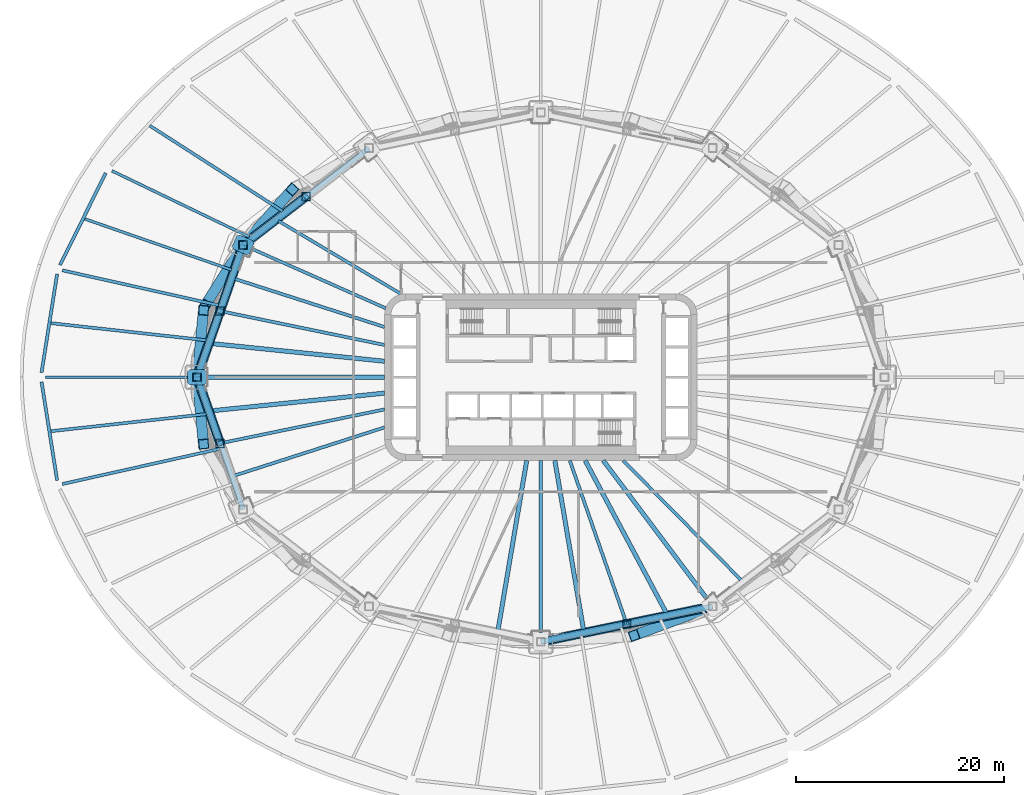
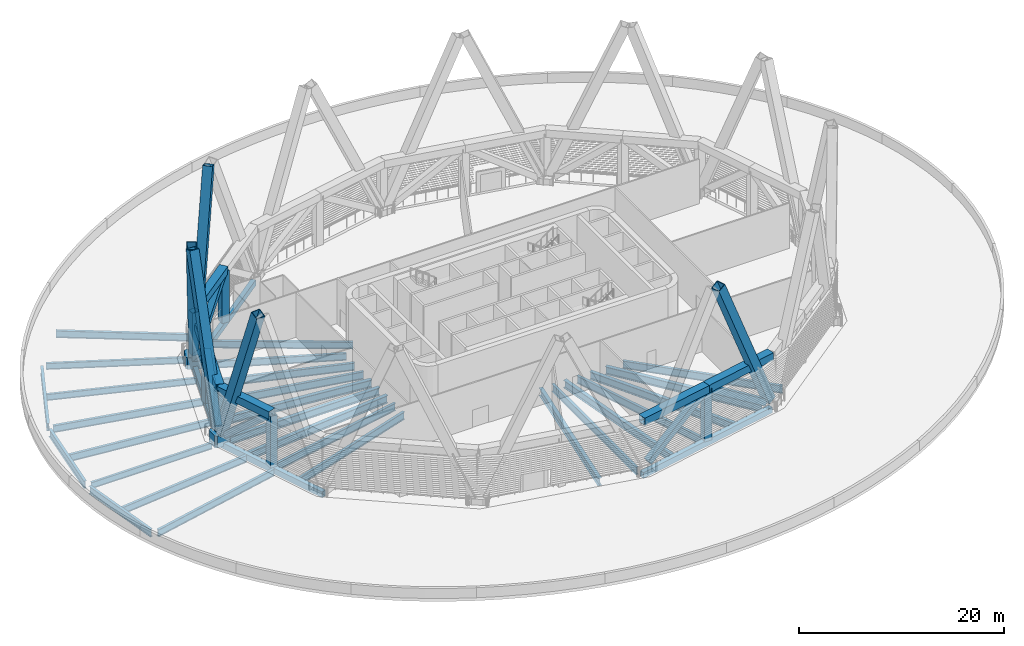
# One storey, part 2 of 27: 31 beams, 25 members.
"""IFC4 building model written with IfcOpenShell, lengths in metres."""

from ifc_helpers import new_model, si_unit, direction, frame, origin, origin_2d, place, context, subcontext, project, spatial, polyline, hollow_rectangle, i_section, outline, extrude, material, material_profile, profile_set, type_object, element, save


model = new_model("IFC4")

# Units and contexts
model_context = context("Model", 3, precision=1e-05, world=origin(), true_north=direction((0.0, 1.0)))
body_context = subcontext(model_context, "Body", "Model", "MODEL_VIEW")
ifc_project = project(units=[si_unit("LENGTHUNIT", "METRE"), si_unit("AREAUNIT", "SQUARE_METRE"), si_unit("VOLUMEUNIT", "CUBIC_METRE"), si_unit("PLANEANGLEUNIT", "RADIAN"), si_unit("MASSUNIT", "GRAM", prefix="KILO")], contexts=[model_context])

# Site, building, storey
site_placement = place(None, origin())
site = spatial("IfcSite", under=ifc_project, at=site_placement, CompositionType="ELEMENT")
building_placement = place(site_placement, origin())
building = spatial("IfcBuilding", under=site, at=building_placement, Name="Sahrelin Media Tower", CompositionType="ELEMENT")
storey_placement = place(building_placement, frame((0.0, 0.0, 44.0)))
storey = spatial("IfcBuildingStorey", under=building, at=storey_placement, Name="L06", CompositionType="ELEMENT", Elevation=44.0)

# Members
ifc_material_1 = material(Name="Steel S460", Category="steel")
ifc_material_profile_1 = material_profile(ifc_material_1, hollow_rectangle(XDim=1.0, YDim=1.0, WallThickness=0.06005859375, at=origin_2d()), Name="Diagrid diagonal DG1")
ifc_profile_set_1 = profile_set([ifc_material_profile_1], Name="Steel S460")
member_type_1 = type_object("IfcMemberType", Name="Diagrid diagonal DG1", PredefinedType="BRACE", material=ifc_profile_set_1)
member_1_placement = place(storey_placement, frame((-28.3984375, 12.903564453125, 0.699951171875), z_axis=(0.240263742988, 0.271151655704, 0.932067654955), x_axis=(-0.748449999211, 0.663191223314, 0.0)))
element("IfcMember", 1, at=member_1_placement, inside=storey, type_object=member_type_1, Name="Diagrid diagonal D00-09", PredefinedType="BRACE", context=body_context, shape_type="SweptSolid", body=[
    extrude(hollow_rectangle(XDim=1.0, YDim=1.0, WallThickness=0.06005859375, at=origin_2d()), origin(), (0.0, 0.0, 1.0), 18.8828125),
])
member_2_placement = place(storey_placement, frame((-28.7177734375, 12.477783203125, 0.699951171875), z_axis=(-0.185846162703, -0.297145993243, 0.936571119835), x_axis=(0.847831661927, -0.530265474111, 0.0)))
element("IfcMember", 2, at=member_2_placement, inside=storey, type_object=member_type_1, Name="Diagrid diagonal D00-10", PredefinedType="BRACE", context=body_context, shape_type="SweptSolid", body=[
    extrude(hollow_rectangle(XDim=1.0, YDim=1.0, WallThickness=0.06005859375, at=origin_2d()), origin(), (0.0, 0.0, 1.0), 18.7919921875),
])
for number, where, z_axis, x_axis, name in (
    (3, (-32.97607421875, 0.245849609375, 0.699951171875), (0.032297802229, 0.331127690494, 0.943033034713), (-0.995276765288, 0.097078115336, 0.0), "Diagrid diagonal D00-11"),
    (4, (-32.97607421875, -0.245849609375, 0.699951171875), (0.032297802229, -0.331127690494, 0.943033034713), (0.995276765288, 0.097078115336, 0.0), "Diagrid diagonal D00-12"),
):
    element("IfcMember", number, at=place(storey_placement, frame(where, z_axis=z_axis, x_axis=x_axis)), inside=storey, type_object=member_type_1, Name=name, PredefinedType="BRACE", context=body_context, shape_type="SweptSolid", body=[
        extrude(hollow_rectangle(XDim=1.0, YDim=1.0, WallThickness=0.06005859375, at=origin_2d()), origin(), (0.0, 0.0, 1.0), 18.663330078125),
    ])
member_3_placement = place(storey_placement, frame((16.21142578125, -22.10400390625, 0.699951171875), z_axis=(-0.377355512755, -0.139825735326, 0.915451572031), x_axis=(0.347455151629, -0.937696602109, 0.0)))
element("IfcMember", 5, at=member_3_placement, inside=storey, type_object=member_type_1, Name="Diagrid diagonal D00-19", PredefinedType="BRACE", context=body_context, shape_type="SweptSolid", body=[
    extrude(hollow_rectangle(XDim=1.0, YDim=1.0, WallThickness=0.06005859375, at=origin_2d()), origin(), (0.0, 0.0, 1.0), 19.2255859375),
])
ifc_material_profile_2 = material_profile(ifc_material_1, outline(polyline([(0.699951171875, -0.75), (0.89990234375, -0.550048828125), (0.89990234375, 0.550048828125), (0.699951171875, 0.75), (-0.699951171875, 0.75), (-0.89990234375, 0.550048828125), (-0.89990234375, -0.550048828125), (-0.699951171875, -0.75), (0.699951171875, -0.75)])), Name="Diagrid node block 1800")
ifc_profile_set_2 = profile_set([ifc_material_profile_2], Name="Steel S460")
member_type_2 = type_object("IfcMemberType", Name="Diagrid node block 1800", PredefinedType="USERDEFINED", material=ifc_profile_set_2)
for number, where, z_axis, x_axis, name in (
    (6, (-28.578857421875, 12.699951171875, -0.699951171875), (0.0, 0.0, 1.0), (-0.913831317054, 0.40609398416, 0.0), "Diagrid node N00-05"),
    (7, (-33.0, 0.0, -0.699951171875), (0.0, 0.0, 1.0), (-1.0, 0.0, 0.0), "Diagrid node N00-06"),
):
    element("IfcMember", number, at=place(storey_placement, frame(where, z_axis=z_axis, x_axis=x_axis)), inside=storey, type_object=member_type_2, Name=name, ObjectType="NODE", PredefinedType="USERDEFINED", context=body_context, shape_type="SweptSolid", body=[
        extrude(outline(polyline([(0.699951171875, -0.75), (0.89990234375, -0.550048828125), (0.89990234375, 0.550048828125), (0.699951171875, 0.75), (-0.699951171875, 0.75), (-0.89990234375, 0.550048828125), (-0.89990234375, -0.550048828125), (-0.699951171875, -0.75), (0.699951171875, -0.75)])), origin(), (0.0, 0.0, 1.0), 1.39990234375),
    ])

# Beams
ifc_material_profile_3 = material_profile(ifc_material_1, hollow_rectangle(XDim=0.5, YDim=0.699951171875, WallThickness=0.034912109375, at=origin_2d()), Name="Diagrid ring beam RB2")
ifc_profile_set_3 = profile_set([ifc_material_profile_3], Name="Steel S460")
beam_type_1 = type_object("IfcBeamType", Name="Diagrid ring beam RB2", PredefinedType="BEAM", material=ifc_profile_set_3)
beam_1_placement = place(storey_placement, frame((-16.5, 21.9970703125, -0.699951171875), z_axis=(-0.792443539308, -0.609945273782, 0.0), x_axis=(0.609945273782, -0.792443539308, 0.0)))
element("IfcBeam", 8, at=beam_1_placement, inside=storey, type_object=beam_type_1, Name="Diagrid ring beam RB00-04", PredefinedType="BEAM", context=body_context, shape_type="SweptSolid", body=[
    extrude(hollow_rectangle(XDim=0.5, YDim=0.699951171875, WallThickness=0.034912109375, at=origin_2d()), origin(), (0.0, 0.0, 1.0), 15.242431640625),
])
for number, where, z_axis, x_axis, name in (
    (9, (-28.578857421875, 12.699951171875, -0.699951171875), (-0.328770590399, -0.944409815117, 0.0), (0.944409815117, -0.328770590399, 0.0), "Diagrid ring beam RB00-05"),
    (10, (-33.0, 0.0, -0.699951171875), (0.328770590399, -0.944409815117, 0.0), (0.944409815117, 0.328770590399, 0.0), "Diagrid ring beam RB00-06"),
):
    element("IfcBeam", number, at=place(storey_placement, frame(where, z_axis=z_axis, x_axis=x_axis)), inside=storey, type_object=beam_type_1, Name=name, PredefinedType="BEAM", context=body_context, shape_type="SweptSolid", body=[
        extrude(hollow_rectangle(XDim=0.5, YDim=0.699951171875, WallThickness=0.034912109375, at=origin_2d()), origin(), (0.0, 0.0, 1.0), 13.447509765625),
    ])
beam_2_placement = place(storey_placement, frame((0.0, -25.39990234375, -0.699951171875), z_axis=(0.979389305257, 0.201981654484, 0.0), x_axis=(-0.201981654484, 0.979389305257, 0.0)))
element("IfcBeam", 11, at=beam_2_placement, inside=storey, type_object=beam_type_1, Name="Diagrid ring beam RB00-09", PredefinedType="BEAM", context=body_context, shape_type="SweptSolid", body=[
    extrude(hollow_rectangle(XDim=0.5, YDim=0.699951171875, WallThickness=0.034912109375, at=origin_2d()), origin(), (0.0, 0.0, 1.0), 16.84716796875),
])
ifc_material_2 = material(Name="Steel S355", Category="steel")
ifc_material_profile_4 = material_profile(ifc_material_2, i_section(OverallWidth=0.30322265625, OverallDepth=0.903076171875, WebThickness=0.01513671875, FlangeThickness=0.020263671875, FilletRadius=0.01904296875, at=origin_2d()), Name="UB 914x305x201")
ifc_profile_set_4 = profile_set([ifc_material_profile_4], Name="Steel S355")
beam_type_2 = type_object("IfcBeamType", Name="Podium edge girder PE11", PredefinedType="BEAM", material=ifc_profile_set_4)
beam_3_placement = place(storey_placement, frame((-41.76953125, 19.596923828125, -0.801513671875), z_axis=(-0.445112588569, -0.895474613541, 0.0), x_axis=(0.895474613541, -0.445112588569, 0.0)))
element("IfcBeam", 12, at=beam_3_placement, inside=storey, type_object=beam_type_2, Name="Podium edge girder L06-11", PredefinedType="BEAM", context=body_context, shape_type="SweptSolid", body=[
    extrude(i_section(OverallWidth=0.30322265625, OverallDepth=0.903076171875, WebThickness=0.01513671875, FlangeThickness=0.020263671875, FilletRadius=0.01904296875, at=origin_2d()), origin(), (0.0, 0.0, 1.0), 9.859619140625),
])
for number, where, z_axis, x_axis, name in (
    (13, (-46.434814453125, 9.907470703125, -0.801513671875), (-0.156048991104, -0.987749316565, 0.0), (0.987749316565, -0.156048991104, 0.0), "Podium edge girder L06-12"),
    (14, (-47.928955078125, -0.449951171875, -0.801513671875), (0.156048991104, -0.987749316565, 0.0), (0.987749316565, 0.156048991104, 0.0), "Podium edge girder L06-13"),
):
    element("IfcBeam", number, at=place(storey_placement, frame(where, z_axis=z_axis, x_axis=x_axis)), inside=storey, type_object=beam_type_2, Name=name, PredefinedType="BEAM", context=body_context, shape_type="SweptSolid", body=[
        extrude(i_section(OverallWidth=0.30322265625, OverallDepth=0.903076171875, WebThickness=0.01513671875, FlangeThickness=0.020263671875, FilletRadius=0.01904296875, at=origin_2d()), origin(), (0.0, 0.0, 1.0), 9.57470703125),
    ])
ifc_material_profile_5 = material_profile(ifc_material_2, i_section(OverallWidth=0.291748046875, OverallDepth=0.8349609375, WebThickness=0.013916015625, FlangeThickness=0.018798828125, FilletRadius=0.017822265625, at=origin_2d()), Name="UB 838x292x176")
ifc_profile_set_5 = profile_set([ifc_material_profile_5], Name="Steel S355")
beam_type_3 = type_object("IfcBeamType", Name="Radial primary beam PB10", PredefinedType="BEAM", material=ifc_profile_set_5)
beam_4_placement = place(storey_placement, frame((-14.890625, 6.6171875, -0.767578125), z_axis=(-0.913833000058, 0.406090196883, 0.0), x_axis=(-0.406090196883, -0.913833000058, 0.0)))
element("IfcBeam", 15, at=beam_4_placement, inside=storey, type_object=beam_type_3, Name="Radial beam L06-11", PredefinedType="BEAM", context=body_context, shape_type="SweptSolid", body=[
    extrude(i_section(OverallWidth=0.291748046875, OverallDepth=0.8349609375, WebThickness=0.013916015625, FlangeThickness=0.018798828125, FilletRadius=0.017822265625, at=origin_2d()), origin(), (0.0, 0.0, 1.0), 14.078857421875),
])
for number, where, z_axis, x_axis, name in (
    (16, (-30.865478515625, 6.89208984375, -0.767578125), (-0.975968037832, 0.217913719463, 0.0), (-0.217913719463, -0.975968037832, 0.0), "Radial beam L06-12"),
    (17, (-30.865478515625, -6.89208984375, -0.767578125), (-0.975968037832, -0.217913719463, 0.0), (0.217913719463, -0.975968037832, 0.0), "Radial beam L06-14"),
):
    element("IfcBeam", number, at=place(storey_placement, frame(where, z_axis=z_axis, x_axis=x_axis)), inside=storey, type_object=beam_type_3, Name=name, PredefinedType="BEAM", context=body_context, shape_type="SweptSolid", body=[
        extrude(i_section(OverallWidth=0.291748046875, OverallDepth=0.8349609375, WebThickness=0.013916015625, FlangeThickness=0.018798828125, FilletRadius=0.017822265625, at=origin_2d()), origin(), (0.0, 0.0, 1.0), 15.4306640625),
    ])
ifc_material_profile_6 = material_profile(ifc_material_2, i_section(OverallWidth=0.30322265625, OverallDepth=0.903076171875, WebThickness=0.01513671875, FlangeThickness=0.020263671875, FilletRadius=0.01904296875, at=origin_2d()), Name="UB 914x305x201")
ifc_profile_set_6 = profile_set([ifc_material_profile_6], Name="Steel S355")
beam_type_4 = type_object("IfcBeamType", Name="Radial primary beam PB11", PredefinedType="BEAM", material=ifc_profile_set_6)
for number, where, z_axis, x_axis, name in (
    (18, (-15.0, 3.093505859375, -0.801513671875), (-0.979386740116, 0.201994092201, 0.0), (-0.201994092201, -0.979386740116, 0.0), "Radial beam L06-12"),
    (19, (-15.0, -3.093505859375, -0.801513671875), (-0.979386740116, -0.201994092201, 0.0), (0.201994092201, -0.979386740116, 0.0), "Radial beam L06-14"),
):
    element("IfcBeam", number, at=place(storey_placement, frame(where, z_axis=z_axis, x_axis=x_axis)), inside=storey, type_object=beam_type_4, Name=name, PredefinedType="BEAM", context=body_context, shape_type="SweptSolid", body=[
        extrude(i_section(OverallWidth=0.30322265625, OverallDepth=0.903076171875, WebThickness=0.01513671875, FlangeThickness=0.020263671875, FilletRadius=0.01904296875, at=origin_2d()), origin(), (0.0, 0.0, 1.0), 15.86962890625),
    ])
beam_5_placement = place(storey_placement, frame((0.0, -8.0, -0.801513671875), z_axis=(0.0, -1.0, 0.0), x_axis=(1.0, 0.0, 0.0)))
element("IfcBeam", 20, at=beam_5_placement, inside=storey, type_object=beam_type_4, Name="Radial beam L06-19", PredefinedType="BEAM", context=body_context, shape_type="SweptSolid", body=[
    extrude(i_section(OverallWidth=0.30322265625, OverallDepth=0.903076171875, WebThickness=0.01513671875, FlangeThickness=0.020263671875, FilletRadius=0.01904296875, at=origin_2d()), origin(), (0.0, 0.0, 1.0), 16.5),
])
beam_6_placement = place(storey_placement, frame((2.784912109375, -8.0, -0.801513671875), z_axis=(0.328772234599, -0.944409242731, 0.0), x_axis=(0.944409242731, 0.328772234599, 0.0)))
element("IfcBeam", 21, at=beam_6_placement, inside=storey, type_object=beam_type_4, Name="Radial beam L06-20", PredefinedType="BEAM", context=body_context, shape_type="SweptSolid", body=[
    extrude(i_section(OverallWidth=0.30322265625, OverallDepth=0.903076171875, WebThickness=0.01513671875, FlangeThickness=0.020263671875, FilletRadius=0.01904296875, at=origin_2d()), origin(), (0.0, 0.0, 1.0), 16.3701171875),
])
ifc_material_profile_7 = material_profile(ifc_material_2, i_section(OverallWidth=0.41845703125, OverallDepth=0.911865234375, WebThickness=0.019287109375, FlangeThickness=0.031982421875, FilletRadius=0.024169921875, at=origin_2d()), Name="UB 914x419x343")
ifc_profile_set_7 = profile_set([ifc_material_profile_7], Name="Steel S355")
beam_type_5 = type_object("IfcBeamType", Name="Radial primary beam PB12", PredefinedType="BEAM", material=ifc_profile_set_7)
beam_7_placement = place(storey_placement, frame((-15.0, 0.0, -0.805908203125), z_axis=(-1.0, 0.0, 0.0), x_axis=(0.0, -1.0, 0.0)))
element("IfcBeam", 22, at=beam_7_placement, inside=storey, type_object=beam_type_5, Name="Radial beam L06-13", PredefinedType="BEAM", context=body_context, shape_type="SweptSolid", body=[
    extrude(i_section(OverallWidth=0.41845703125, OverallDepth=0.911865234375, WebThickness=0.019287109375, FlangeThickness=0.031982421875, FilletRadius=0.024169921875, at=origin_2d()), origin(), (0.0, 0.0, 1.0), 17.10009765625),
])
beam_8_placement = place(storey_placement, frame((6.000732421875, -8.0, -0.805908203125), z_axis=(0.600054130443, -0.799959399306, 0.0), x_axis=(0.799959399306, 0.600054130443, 0.0)))
element("IfcBeam", 23, at=beam_8_placement, inside=storey, type_object=beam_type_5, Name="Radial beam L06-21", PredefinedType="BEAM", context=body_context, shape_type="SweptSolid", body=[
    extrude(i_section(OverallWidth=0.41845703125, OverallDepth=0.911865234375, WebThickness=0.019287109375, FlangeThickness=0.031982421875, FilletRadius=0.024169921875, at=origin_2d()), origin(), (0.0, 0.0, 1.0), 16.59716796875),
])
ifc_material_profile_8 = material_profile(ifc_material_2, i_section(OverallWidth=0.26513671875, OverallDepth=0.75390625, WebThickness=0.0126953125, FlangeThickness=0.017578125, FilletRadius=0.0166015625, at=origin_2d()), Name="UB 762x267x147")
ifc_profile_set_8 = profile_set([ifc_material_profile_8], Name="Steel S355")
beam_type_6 = type_object("IfcBeamType", Name="Radial primary beam PB9", PredefinedType="BEAM", material=ifc_profile_set_8)
beam_9_placement = place(storey_placement, frame((-27.99169921875, 13.467529296875, -0.72705078125), z_axis=(-0.901128087536, 0.433552960841, 0.0), x_axis=(-0.433552960841, -0.901128087536, 0.0)))
element("IfcBeam", 24, at=beam_9_placement, inside=storey, type_object=beam_type_6, Name="Radial beam L06-11", PredefinedType="BEAM", context=body_context, shape_type="SweptSolid", body=[
    extrude(i_section(OverallWidth=0.26513671875, OverallDepth=0.75390625, WebThickness=0.0126953125, FlangeThickness=0.017578125, FilletRadius=0.0166015625, at=origin_2d()), origin(), (0.0, 0.0, 1.0), 14.617431640625),
])
beam_10_placement = place(storey_placement, frame((-33.89990234375, 0.0, -0.72705078125), z_axis=(-1.0, 0.0, 0.0), x_axis=(0.0, -1.0, 0.0)))
element("IfcBeam", 25, at=beam_10_placement, inside=storey, type_object=beam_type_6, Name="Radial beam L06-13", PredefinedType="BEAM", context=body_context, shape_type="SweptSolid", body=[
    extrude(i_section(OverallWidth=0.26513671875, OverallDepth=0.75390625, WebThickness=0.0126953125, FlangeThickness=0.017578125, FilletRadius=0.0166015625, at=origin_2d()), origin(), (0.0, 0.0, 1.0), 13.650146484375),
])
ifc_material_profile_9 = material_profile(ifc_material_2, i_section(OverallWidth=0.291748046875, OverallDepth=0.8349609375, WebThickness=0.013916015625, FlangeThickness=0.018798828125, FilletRadius=0.017822265625, at=origin_2d()), Name="UB 838x292x176")
ifc_profile_set_9 = profile_set([ifc_material_profile_9], Name="Steel S355")
beam_type_7 = type_object("IfcBeamType", Name="Radial secondary beam SB10", PredefinedType="BEAM", material=ifc_profile_set_9)
beam_11_placement = place(storey_placement, frame((-13.356201171875, 7.953125, -0.767578125), z_axis=(-0.859201566627, 0.511637242493, 0.0), x_axis=(-0.511637242493, -0.859201566627, 0.0)))
element("IfcBeam", 26, at=beam_11_placement, inside=storey, type_object=beam_type_7, Name="Secondary beam L06-10", PredefinedType="BEAM", context=body_context, shape_type="SweptSolid", body=[
    extrude(i_section(OverallWidth=0.291748046875, OverallDepth=0.8349609375, WebThickness=0.013916015625, FlangeThickness=0.018798828125, FilletRadius=0.017822265625, at=origin_2d()), origin(), (0.0, 0.0, 1.0), 13.76708984375),
])
beam_12_placement = place(storey_placement, frame((-24.780517578125, 15.93896484375, -0.767578125), z_axis=(-0.841044109841, 0.540966547304, 0.0), x_axis=(-0.540966547304, -0.841044109841, 0.0)))
element("IfcBeam", 27, at=beam_12_placement, inside=storey, type_object=beam_type_7, Name="Secondary beam L06-10", PredefinedType="BEAM", context=body_context, shape_type="SweptSolid", body=[
    extrude(i_section(OverallWidth=0.291748046875, OverallDepth=0.8349609375, WebThickness=0.013916015625, FlangeThickness=0.018798828125, FilletRadius=0.017822265625, at=origin_2d()), origin(), (0.0, 0.0, 1.0), 15.175048828125),
])
for number, where, z_axis, x_axis, name in (
    (28, (-32.034912109375, 3.533203125, -0.767578125), (-0.993974200431, 0.109614273146, 0.0), (-0.109614273146, -0.993974200431, 0.0), "Secondary beam L06-12"),
    (29, (-32.034912109375, -3.533203125, -0.767578125), (-0.993974200431, -0.109614273146, 0.0), (0.109614273146, -0.993974200431, 0.0), "Secondary beam L06-13"),
):
    element("IfcBeam", number, at=place(storey_placement, frame(where, z_axis=z_axis, x_axis=x_axis)), inside=storey, type_object=beam_type_7, Name=name, PredefinedType="BEAM", context=body_context, shape_type="SweptSolid", body=[
        extrude(i_section(OverallWidth=0.291748046875, OverallDepth=0.8349609375, WebThickness=0.013916015625, FlangeThickness=0.018798828125, FilletRadius=0.017822265625, at=origin_2d()), origin(), (0.0, 0.0, 1.0), 15.0830078125),
    ])
ifc_material_profile_10 = material_profile(ifc_material_2, i_section(OverallWidth=0.30322265625, OverallDepth=0.903076171875, WebThickness=0.01513671875, FlangeThickness=0.020263671875, FilletRadius=0.01904296875, at=origin_2d()), Name="UB 914x305x201")
ifc_profile_set_10 = profile_set([ifc_material_profile_10], Name="Steel S355")
beam_type_8 = type_object("IfcBeamType", Name="Radial secondary beam SB11", PredefinedType="BEAM", material=ifc_profile_set_10)
for number, where, z_axis, x_axis, name in (
    (30, (-15.0, 4.81787109375, -0.801513671875), (-0.952096020669, 0.305799227315, 0.0), (-0.305799227315, -0.952096020669, 0.0), "Secondary beam L06-11"),
    (31, (-15.0, -4.81787109375, -0.801513671875), (-0.952096020669, -0.305799227315, 0.0), (0.305799227315, -0.952096020669, 0.0), "Secondary beam L06-14"),
):
    element("IfcBeam", number, at=place(storey_placement, frame(where, z_axis=z_axis, x_axis=x_axis)), inside=storey, type_object=beam_type_8, Name=name, PredefinedType="BEAM", context=body_context, shape_type="SweptSolid", body=[
        extrude(i_section(OverallWidth=0.30322265625, OverallDepth=0.903076171875, WebThickness=0.01513671875, FlangeThickness=0.020263671875, FilletRadius=0.01904296875, at=origin_2d()), origin(), (0.0, 0.0, 1.0), 15.169921875),
    ])
beam_13_placement = place(storey_placement, frame((7.901123046875, -8.0, -0.801513671875), z_axis=(0.702710295219, -0.711476100085, 0.0), x_axis=(0.711476100085, 0.702710295219, 0.0)))
element("IfcBeam", 32, at=beam_13_placement, inside=storey, type_object=beam_type_8, Name="Secondary beam L06-21", PredefinedType="BEAM", context=body_context, shape_type="SweptSolid", body=[
    extrude(i_section(OverallWidth=0.30322265625, OverallDepth=0.903076171875, WebThickness=0.01513671875, FlangeThickness=0.020263671875, FilletRadius=0.01904296875, at=origin_2d()), origin(), (0.0, 0.0, 1.0), 16.20947265625),
])
ifc_material_profile_11 = material_profile(ifc_material_2, i_section(OverallWidth=0.41845703125, OverallDepth=0.911865234375, WebThickness=0.019287109375, FlangeThickness=0.031982421875, FilletRadius=0.024169921875, at=origin_2d()), Name="UB 914x419x343")
ifc_profile_set_11 = profile_set([ifc_material_profile_11], Name="Steel S355")
beam_type_9 = type_object("IfcBeamType", Name="Radial secondary beam SB12", PredefinedType="BEAM", material=ifc_profile_set_11)
for number, where, z_axis, x_axis, name in (
    (33, (-15.0, 1.53076171875, -0.805908203125), (-0.994834534251, 0.101509849087, 0.0), (-0.101509849087, -0.994834534251, 0.0), "Secondary beam L06-12"),
    (34, (-15.0, -1.53076171875, -0.805908203125), (-0.994834534251, -0.101509849087, 0.0), (0.101509849087, -0.994834534251, 0.0), "Secondary beam L06-13"),
):
    element("IfcBeam", number, at=place(storey_placement, frame(where, z_axis=z_axis, x_axis=x_axis)), inside=storey, type_object=beam_type_9, Name=name, PredefinedType="BEAM", context=body_context, shape_type="SweptSolid", body=[
        extrude(i_section(OverallWidth=0.41845703125, OverallDepth=0.911865234375, WebThickness=0.019287109375, FlangeThickness=0.031982421875, FilletRadius=0.024169921875, at=origin_2d()), origin(), (0.0, 0.0, 1.0), 16.698486328125),
    ])
for number, where, z_axis, x_axis, name in (
    (35, (-1.352783203125, -8.0, -0.805908203125), (-0.166717137249, -0.986004764769, 0.0), (0.986004764769, -0.166717137249, 0.0), "Secondary beam L06-18"),
    (36, (1.352783203125, -8.0, -0.805908203125), (0.166717137249, -0.986004764769, 0.0), (0.986004764769, 0.166717137249, 0.0), "Secondary beam L06-19"),
):
    element("IfcBeam", number, at=place(storey_placement, frame(where, z_axis=z_axis, x_axis=x_axis)), inside=storey, type_object=beam_type_9, Name=name, PredefinedType="BEAM", context=body_context, shape_type="SweptSolid", body=[
        extrude(i_section(OverallWidth=0.41845703125, OverallDepth=0.911865234375, WebThickness=0.019287109375, FlangeThickness=0.031982421875, FilletRadius=0.024169921875, at=origin_2d()), origin(), (0.0, 0.0, 1.0), 16.528564453125),
    ])
beam_14_placement = place(storey_placement, frame((4.259765625, -8.0, -0.805908203125), z_axis=(0.469997464364, -0.882667765069, 0.0), x_axis=(0.882667765069, 0.469997464364, 0.0)))
element("IfcBeam", 37, at=beam_14_placement, inside=storey, type_object=beam_type_9, Name="Secondary beam L06-20", PredefinedType="BEAM", context=body_context, shape_type="SweptSolid", body=[
    extrude(i_section(OverallWidth=0.41845703125, OverallDepth=0.911865234375, WebThickness=0.019287109375, FlangeThickness=0.031982421875, FilletRadius=0.024169921875, at=origin_2d()), origin(), (0.0, 0.0, 1.0), 16.604736328125),
])
ifc_material_profile_12 = material_profile(ifc_material_2, i_section(OverallWidth=0.26513671875, OverallDepth=0.75390625, WebThickness=0.0126953125, FlangeThickness=0.017578125, FilletRadius=0.0166015625, at=origin_2d()), Name="UB 762x267x147")
ifc_profile_set_12 = profile_set([ifc_material_profile_12], Name="Steel S355")
beam_type_10 = type_object("IfcBeamType", Name="Radial secondary beam SB9", PredefinedType="BEAM", material=ifc_profile_set_12)
beam_15_placement = place(storey_placement, frame((-29.6787109375, 10.300537109375, -0.72705078125), z_axis=(-0.944715588779, 0.32789092137, 0.0), x_axis=(-0.32789092137, -0.944715588779, 0.0)))
element("IfcBeam", 38, at=beam_15_placement, inside=storey, type_object=beam_type_10, Name="Secondary beam L06-11", PredefinedType="BEAM", context=body_context, shape_type="SweptSolid", body=[
    extrude(i_section(OverallWidth=0.26513671875, OverallDepth=0.75390625, WebThickness=0.0126953125, FlangeThickness=0.017578125, FilletRadius=0.0166015625, at=origin_2d()), origin(), (0.0, 0.0, 1.0), 14.93408203125),
])

# Members
ifc_material_profile_13 = material_profile(ifc_material_1, hollow_rectangle(XDim=0.89990234375, YDim=0.89990234375, WallThickness=0.050048828125, at=origin_2d()), Name="Transfer truss chord TC")
ifc_profile_set_13 = profile_set([ifc_material_profile_13], Name="Steel S460")
member_type_3 = type_object("IfcMemberType", Name="Transfer truss chord TC", PredefinedType="CHORD", material=ifc_profile_set_13)
member_4_placement = place(storey_placement, frame((-22.539306640625, 17.348388671875, 5.800048828125), z_axis=(-0.792457239739, -0.60992747371, 0.0), x_axis=(0.60992747371, -0.792457239739, 0.0)))
element("IfcMember", 39, at=member_4_placement, inside=storey, type_object=member_type_3, Name="Transfer truss member BT00-04-T2", PredefinedType="CHORD", context=body_context, shape_type="SweptSolid", body=[
    extrude(hollow_rectangle(XDim=0.89990234375, YDim=0.89990234375, WallThickness=0.050048828125, at=origin_2d()), origin(), (0.0, 0.0, 1.0), 7.621337890625),
])
member_5_placement = place(storey_placement, frame((-28.578857421875, 12.699951171875, 5.800048828125), z_axis=(-0.328760034477, -0.944413489808, 0.0), x_axis=(0.944413489808, -0.328760034477, 0.0)))
element("IfcMember", 40, at=member_5_placement, inside=storey, type_object=member_type_3, Name="Transfer truss member BT00-05-T1", PredefinedType="CHORD", context=body_context, shape_type="SweptSolid", body=[
    extrude(hollow_rectangle(XDim=0.89990234375, YDim=0.89990234375, WallThickness=0.050048828125, at=origin_2d()), origin(), (0.0, 0.0, 1.0), 6.7236328125),
])
for number, where, z_axis, x_axis, name in (
    (41, (-30.789306640625, 6.35009765625, 5.800048828125), (-0.328781145791, -0.944406140478, 0.0), (0.944406140478, -0.328781145791, 0.0), "Transfer truss member BT00-05-T2"),
    (42, (-33.0, 0.0, 5.800048828125), (0.328781145791, -0.944406140478, 0.0), (0.944406140478, 0.328781145791, 0.0), "Transfer truss member BT00-06-T1"),
):
    element("IfcMember", number, at=place(storey_placement, frame(where, z_axis=z_axis, x_axis=x_axis)), inside=storey, type_object=member_type_3, Name=name, PredefinedType="CHORD", context=body_context, shape_type="SweptSolid", body=[
        extrude(hollow_rectangle(XDim=0.89990234375, YDim=0.89990234375, WallThickness=0.050048828125, at=origin_2d()), origin(), (0.0, 0.0, 1.0), 6.723876953125),
    ])
for number, where, z_axis, x_axis, name in (
    (43, (0.0, -25.39990234375, 5.800048828125), (0.979389305257, 0.201981654484, 0.0), (-0.201981654484, 0.979389305257, 0.0), "Transfer truss member BT00-09-T1"),
    (44, (8.25, -23.698486328125, 5.800048828125), (0.979389305257, 0.201981654484, 0.0), (-0.201981654484, 0.979389305257, 0.0), "Transfer truss member BT00-09-T2"),
):
    element("IfcMember", number, at=place(storey_placement, frame(where, z_axis=z_axis, x_axis=x_axis)), inside=storey, type_object=member_type_3, Name=name, PredefinedType="CHORD", context=body_context, shape_type="SweptSolid", body=[
        extrude(hollow_rectangle(XDim=0.89990234375, YDim=0.89990234375, WallThickness=0.050048828125, at=origin_2d()), origin(), (0.0, 0.0, 1.0), 8.423583984375),
    ])
ifc_material_profile_14 = material_profile(ifc_material_1, hollow_rectangle(XDim=0.699951171875, YDim=0.699951171875, WallThickness=0.0400390625, at=origin_2d()), Name="Transfer truss diagonal TD")
ifc_profile_set_14 = profile_set([ifc_material_profile_14], Name="Steel S460")
member_type_4 = type_object("IfcMemberType", Name="Transfer truss diagonal TD", PredefinedType="BRACE", material=ifc_profile_set_14)
member_6_placement = place(storey_placement, frame((-27.90283203125, 13.22021484375, 0.649169921875), z_axis=(0.630606953825, 0.485362692076, 0.605605421812), x_axis=(-0.609932127259, 0.792453658038, 0.0)))
element("IfcMember", 45, at=member_6_placement, inside=storey, type_object=member_type_4, Name="Transfer truss member BT00-04-X2", PredefinedType="BRACE", context=body_context, shape_type="SweptSolid", body=[
    extrude(hollow_rectangle(XDim=0.699951171875, YDim=0.699951171875, WallThickness=0.0400390625, at=origin_2d()), origin(), (0.0, 0.0, 1.0), 8.50537109375),
])
member_7_placement = place(storey_placement, frame((-28.826171875, 11.9892578125, 0.649169921875), z_axis=(-0.248946069278, -0.715104627307, 0.653185445793), x_axis=(0.944409059294, -0.328772761528, 0.0)))
element("IfcMember", 46, at=member_7_placement, inside=storey, type_object=member_type_4, Name="Transfer truss member BT00-05-X1", PredefinedType="BRACE", context=body_context, shape_type="SweptSolid", body=[
    extrude(hollow_rectangle(XDim=0.699951171875, YDim=0.699951171875, WallThickness=0.0400390625, at=origin_2d()), origin(), (0.0, 0.0, 1.0), 7.8857421875),
])
for number, where, z_axis, x_axis, name in (
    (47, (-32.739013671875, 0.75, 0.68505859375), (0.248970870971, 0.715113177853, 0.653166631319), (-0.944400109582, 0.328798468703, 0.0), "Transfer truss member BT00-05-X2"),
    (48, (-32.739013671875, -0.75, 0.68505859375), (0.248970870971, -0.715113177853, 0.653166631319), (0.944400109582, 0.328798468703, 0.0), "Transfer truss member BT00-06-X1"),
):
    element("IfcMember", number, at=place(storey_placement, frame(where, z_axis=z_axis, x_axis=x_axis)), inside=storey, type_object=member_type_4, Name=name, PredefinedType="BRACE", context=body_context, shape_type="SweptSolid", body=[
        extrude(hollow_rectangle(XDim=0.699951171875, YDim=0.699951171875, WallThickness=0.0400390625, at=origin_2d()), origin(), (0.0, 0.0, 1.0), 7.8310546875),
    ])
member_8_placement = place(storey_placement, frame((0.75, -25.245361328125, 0.52734375), z_axis=(0.80666503054, 0.166374662549, 0.567107573716), x_axis=(-0.20199833468, 0.979385865115, 0.0)))
element("IfcMember", 49, at=member_8_placement, inside=storey, type_object=member_type_4, Name="Transfer truss member BT00-09-X1", PredefinedType="BRACE", context=body_context, shape_type="SweptSolid", body=[
    extrude(hollow_rectangle(XDim=0.699951171875, YDim=0.699951171875, WallThickness=0.0400390625, at=origin_2d()), origin(), (0.0, 0.0, 1.0), 9.297607421875),
])
member_9_placement = place(storey_placement, frame((15.68798828125, -22.16455078125, 0.57080078125), z_axis=(-0.806660315519, -0.166357472671, 0.567119323118), x_axis=(0.201979448038, -0.979389760295, 0.0)))
element("IfcMember", 50, at=member_9_placement, inside=storey, type_object=member_type_4, Name="Transfer truss member BT00-09-X2", PredefinedType="BRACE", context=body_context, shape_type="SweptSolid", body=[
    extrude(hollow_rectangle(XDim=0.699951171875, YDim=0.699951171875, WallThickness=0.0400390625, at=origin_2d()), origin(), (0.0, 0.0, 1.0), 9.220703125),
])
ifc_material_profile_15 = material_profile(ifc_material_1, hollow_rectangle(XDim=0.800048828125, YDim=0.800048828125, WallThickness=0.044921875, at=origin_2d()), Name="Transfer truss post TP")
ifc_profile_set_15 = profile_set([ifc_material_profile_15], Name="Steel S460")
member_type_5 = type_object("IfcMemberType", Name="Transfer truss post TP", PredefinedType="POST", material=ifc_profile_set_15)
member_10_placement = place(storey_placement, frame((-22.539306640625, 17.348388671875, -0.3701171875), z_axis=(0.0, 0.0, 1.0), x_axis=(1.0, 0.0, 0.0)))
element("IfcMember", 51, at=member_10_placement, inside=storey, type_object=member_type_5, Name="Transfer truss member BT00-04-P1", PredefinedType="POST", context=body_context, shape_type="SweptSolid", body=[
    extrude(hollow_rectangle(XDim=0.800048828125, YDim=0.800048828125, WallThickness=0.044921875, at=origin_2d()), origin(), (0.0, 0.0, 1.0), 6.170166015625),
])
member_11_placement = place(storey_placement, frame((-28.578857421875, 12.699951171875, 0.699951171875), z_axis=(0.0, 0.0, 1.0), x_axis=(1.0, 0.0, 0.0)))
element("IfcMember", 52, at=member_11_placement, inside=storey, type_object=member_type_5, Name="Transfer truss member BT00-05-P0", PredefinedType="POST", context=body_context, shape_type="SweptSolid", body=[
    extrude(hollow_rectangle(XDim=0.800048828125, YDim=0.800048828125, WallThickness=0.044921875, at=origin_2d()), origin(), (0.0, 0.0, 1.0), 5.10009765625),
])
member_12_placement = place(storey_placement, frame((-30.789306640625, 6.35009765625, -0.3701171875), z_axis=(0.0, 0.0, 1.0), x_axis=(1.0, 0.0, 0.0)))
element("IfcMember", 53, at=member_12_placement, inside=storey, type_object=member_type_5, Name="Transfer truss member BT00-05-P1", PredefinedType="POST", context=body_context, shape_type="SweptSolid", body=[
    extrude(hollow_rectangle(XDim=0.800048828125, YDim=0.800048828125, WallThickness=0.044921875, at=origin_2d()), origin(), (0.0, 0.0, 1.0), 6.170166015625),
])
member_13_placement = place(storey_placement, frame((-33.0, 0.0, 0.699951171875), z_axis=(0.0, 0.0, 1.0), x_axis=(1.0, 0.0, 0.0)))
element("IfcMember", 54, at=member_13_placement, inside=storey, type_object=member_type_5, Name="Transfer truss member BT00-06-P0", PredefinedType="POST", context=body_context, shape_type="SweptSolid", body=[
    extrude(hollow_rectangle(XDim=0.800048828125, YDim=0.800048828125, WallThickness=0.044921875, at=origin_2d()), origin(), (0.0, 0.0, 1.0), 5.10009765625),
])
for number, where, z_axis, x_axis, name in (
    (55, (-30.789306640625, -6.35009765625, -0.3701171875), (0.0, 0.0, 1.0), (1.0, 0.0, 0.0), "Transfer truss member BT00-06-P1"),
    (56, (8.25, -23.698486328125, -0.3701171875), (0.0, 0.0, 1.0), (1.0, 0.0, 0.0), "Transfer truss member BT00-09-P1"),
):
    element("IfcMember", number, at=place(storey_placement, frame(where, z_axis=z_axis, x_axis=x_axis)), inside=storey, type_object=member_type_5, Name=name, PredefinedType="POST", context=body_context, shape_type="SweptSolid", body=[
        extrude(hollow_rectangle(XDim=0.800048828125, YDim=0.800048828125, WallThickness=0.044921875, at=origin_2d()), origin(), (0.0, 0.0, 1.0), 6.170166015625),
    ])

save(model, "model.ifc")
